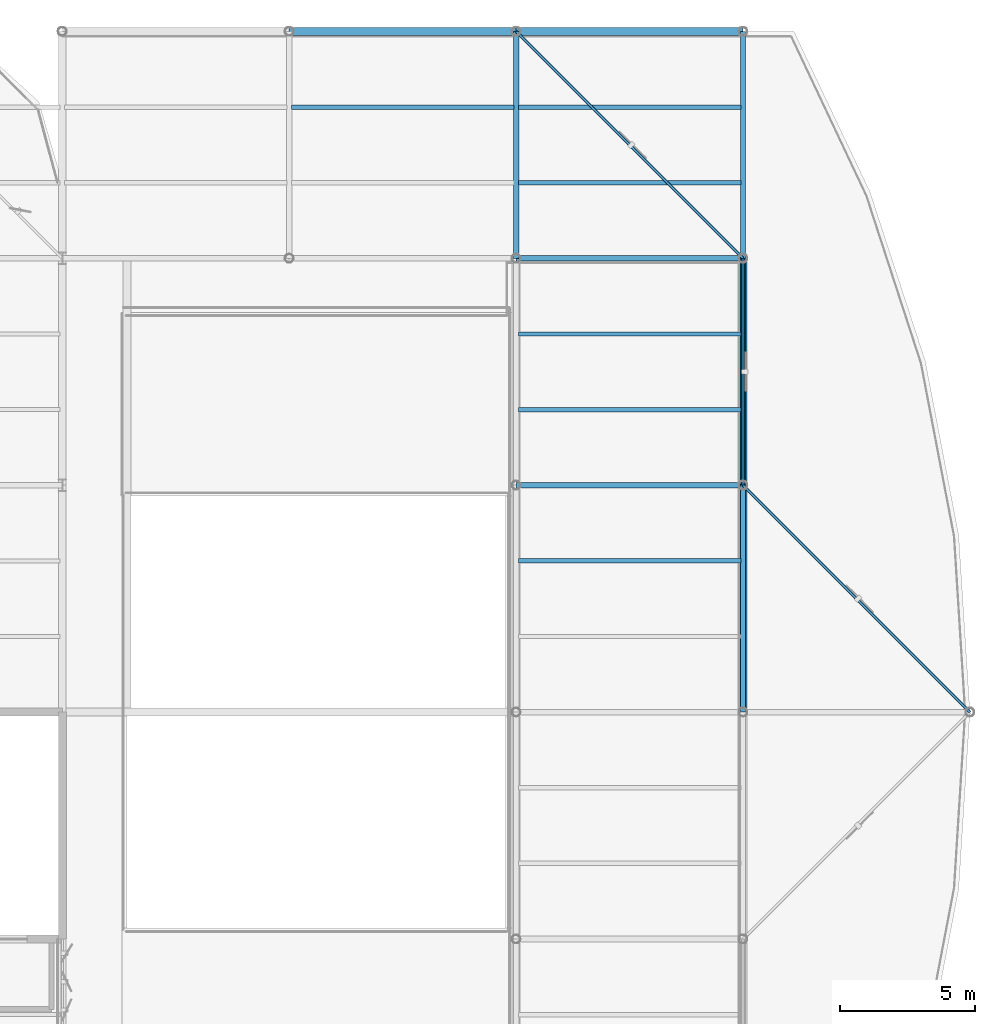
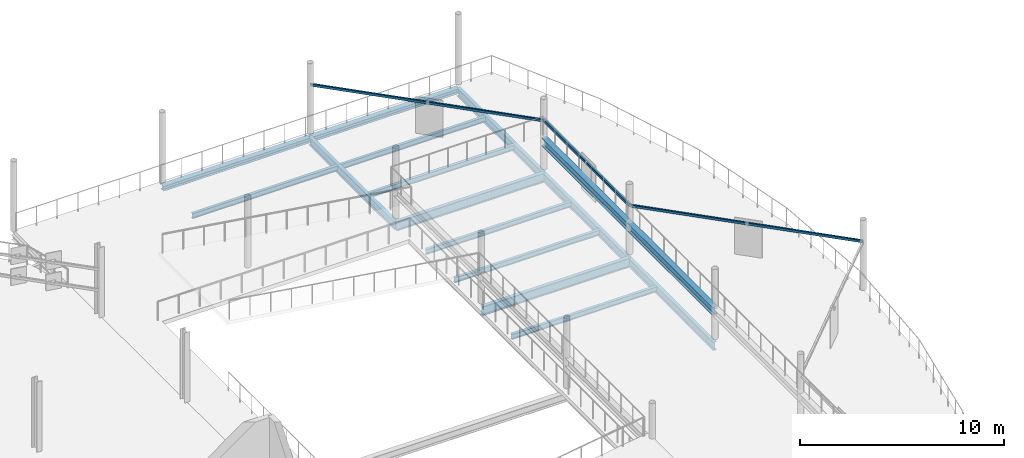
# One storey, part 35 of 69: 19 beams.
"""IFC4 building model written with IfcOpenShell, lengths in metres."""

from ifc_helpers import new_model, si_unit, direction, frame, origin, origin_2d, place, context, subcontext, project, spatial, hollow_rectangle, i_section, extrude, material, material_profile, profile_set, type_object, element, save


model = new_model("IFC4")

# Units and contexts
model_context = context("Model", 3, precision=1e-05, world=origin(), true_north=direction((0.0, 1.0)))
body_context = subcontext(model_context, "Body", "Model", "MODEL_VIEW")
ifc_project = project(units=[si_unit("LENGTHUNIT", "METRE"), si_unit("AREAUNIT", "SQUARE_METRE"), si_unit("VOLUMEUNIT", "CUBIC_METRE"), si_unit("PLANEANGLEUNIT", "RADIAN"), si_unit("MASSUNIT", "GRAM", prefix="KILO")], contexts=[model_context])

# Site, building, storey
site_placement = place(None, origin())
site = spatial("IfcSite", under=ifc_project, at=site_placement, CompositionType="ELEMENT")
building_placement = place(site_placement, origin())
building = spatial("IfcBuilding", under=site, at=building_placement, Name="Qalvenar Corner Mobility Hub", CompositionType="ELEMENT")
storey_placement = place(building_placement, frame((0.0, 0.0, 13.199951171875)))
storey = spatial("IfcBuildingStorey", under=building, at=storey_placement, Name="L03", CompositionType="ELEMENT", Elevation=13.199951171875)

# Beams
ifc_material = material(Name="Steel S355", Category="steel")
ifc_material_profile_1 = material_profile(ifc_material, i_section(OverallWidth=0.300048828125, OverallDepth=0.489990234375, WebThickness=0.011962890625, FlangeThickness=0.02294921875, FilletRadius=0.027099609375, at=origin_2d()), Name="HEA500")
ifc_profile_set_1 = profile_set([ifc_material_profile_1], Name="Steel S355")
beam_type_1 = type_object("IfcBeamType", Name="BM-HEA500", PredefinedType="BEAM", material=ifc_profile_set_1)
beam_1_placement = place(storey_placement, frame((168.0, 92.39990234375, 1.635009765625), z_axis=(0.0, 1.0, 0.0), x_axis=(-1.0, 0.0, 0.0)))
element("IfcBeam", 1, at=beam_1_placement, inside=storey, type_object=beam_type_1, Name="Ramp Mid-Landing Girder L03-168-92", PredefinedType="BEAM", context=body_context, shape_type="SweptSolid", body=[
    extrude(i_section(OverallWidth=0.300048828125, OverallDepth=0.489990234375, WebThickness=0.011962890625, FlangeThickness=0.02294921875, FilletRadius=0.027099609375, at=origin_2d()), origin(), (0.0, 0.0, 1.0), 8.400146484375),
])
beam_2_placement = place(storey_placement, frame((168.0, 100.800048828125, 1.635009765625), z_axis=(0.0, 1.0, 0.0), x_axis=(-1.0, 0.0, 0.0)))
element("IfcBeam", 2, at=beam_2_placement, inside=storey, type_object=beam_type_1, Name="Ramp Mid-Landing Girder L03-168-100", PredefinedType="BEAM", context=body_context, shape_type="SweptSolid", body=[
    extrude(i_section(OverallWidth=0.300048828125, OverallDepth=0.489990234375, WebThickness=0.011962890625, FlangeThickness=0.02294921875, FilletRadius=0.027099609375, at=origin_2d()), origin(), (0.0, 0.0, 1.0), 8.39990234375),
])
ifc_material_profile_2 = material_profile(ifc_material, i_section(OverallWidth=0.199951171875, OverallDepth=0.5, WebThickness=0.01025390625, FlangeThickness=0.01611328125, FilletRadius=0.02099609375, at=origin_2d()), Name="IPE500")
ifc_profile_set_2 = profile_set([ifc_material_profile_2], Name="Steel S355")
beam_type_2 = type_object("IfcBeamType", Name="BM-IPE500", PredefinedType="BEAM", material=ifc_profile_set_2)
for number, where, z_axis, x_axis, name in (
    (3, (159.60009765625, 109.199951171875, -0.489990234375), (0.0, 1.0, 0.0), (-1.0, 0.0, 0.0), "Primary Steel Girder GY-2560"),
    (4, (168.0, 92.39990234375, -0.489990234375), (0.0, 1.0, 0.0), (-1.0, 0.0, 0.0), "Primary Steel Girder GY-2564"),
):
    element("IfcBeam", number, at=place(storey_placement, frame(where, z_axis=z_axis, x_axis=x_axis)), inside=storey, type_object=beam_type_2, Name=name, PredefinedType="BEAM", context=body_context, shape_type="SweptSolid", body=[
        extrude(i_section(OverallWidth=0.199951171875, OverallDepth=0.5, WebThickness=0.01025390625, FlangeThickness=0.01611328125, FilletRadius=0.02099609375, at=origin_2d()), origin(), (0.0, 0.0, 1.0), 8.400146484375),
    ])
beam_3_placement = place(storey_placement, frame((168.0, 100.800048828125, -0.489990234375), z_axis=(0.0, 1.0, 0.0), x_axis=(-1.0, 0.0, 0.0)))
element("IfcBeam", 5, at=beam_3_placement, inside=storey, type_object=beam_type_2, Name="Primary Steel Girder GY-2565", PredefinedType="BEAM", context=body_context, shape_type="SweptSolid", body=[
    extrude(i_section(OverallWidth=0.199951171875, OverallDepth=0.5, WebThickness=0.01025390625, FlangeThickness=0.01611328125, FilletRadius=0.02099609375, at=origin_2d()), origin(), (0.0, 0.0, 1.0), 8.39990234375),
])
beam_4_placement = place(storey_placement, frame((168.0, 109.199951171875, -0.489990234375), z_axis=(0.0, 1.0, 0.0), x_axis=(-1.0, 0.0, 0.0)))
element("IfcBeam", 6, at=beam_4_placement, inside=storey, type_object=beam_type_2, Name="Primary Steel Girder GY-2566", PredefinedType="BEAM", context=body_context, shape_type="SweptSolid", body=[
    extrude(i_section(OverallWidth=0.199951171875, OverallDepth=0.5, WebThickness=0.01025390625, FlangeThickness=0.01611328125, FilletRadius=0.02099609375, at=origin_2d()), origin(), (0.0, 0.0, 1.0), 8.400146484375),
])
ifc_material_profile_3 = material_profile(ifc_material, i_section(OverallWidth=0.2099609375, OverallDepth=0.550048828125, WebThickness=0.010986328125, FlangeThickness=0.01708984375, FilletRadius=0.02392578125, at=origin_2d()), Name="IPE550")
ifc_profile_set_3 = profile_set([ifc_material_profile_3], Name="Steel S355")
beam_type_3 = type_object("IfcBeamType", Name="BM-IPE550", PredefinedType="BEAM", material=ifc_profile_set_3)
for number, where, z_axis, x_axis, name in (
    (7, (159.60009765625, 100.800048828125, -0.514892578125), (1.0, 0.0, 0.0), (0.0, 1.0, 0.0), "Primary Steel Girder GX-2544"),
    (8, (159.60009765625, 109.199951171875, -0.514892578125), (1.0, 0.0, 0.0), (0.0, 1.0, 0.0), "Primary Steel Girder GX-2547"),
):
    element("IfcBeam", number, at=place(storey_placement, frame(where, z_axis=z_axis, x_axis=x_axis)), inside=storey, type_object=beam_type_3, Name=name, PredefinedType="BEAM", context=body_context, shape_type="SweptSolid", body=[
        extrude(i_section(OverallWidth=0.2099609375, OverallDepth=0.550048828125, WebThickness=0.010986328125, FlangeThickness=0.01708984375, FilletRadius=0.02392578125, at=origin_2d()), origin(), (0.0, 0.0, 1.0), 8.39990234375),
    ])
ifc_material_profile_4 = material_profile(ifc_material, i_section(OverallWidth=0.1650390625, OverallDepth=0.31005859375, WebThickness=0.005859375, FlangeThickness=0.009765625, FilletRadius=0.011962890625, at=origin_2d()), Name="W310x38.7")
ifc_profile_set_4 = profile_set([ifc_material_profile_4], Name="Steel S355")
beam_type_4 = type_object("IfcBeamType", Name="BM-JST310", PredefinedType="JOIST", material=ifc_profile_set_4)
beam_5_placement = place(storey_placement, frame((151.278076171875, 114.800048828125, -0.39501953125), z_axis=(1.0, 0.0, 0.0), x_axis=(0.0, 1.0, 0.0)))
element("IfcBeam", 9, at=beam_5_placement, inside=storey, type_object=beam_type_4, Name="Composite Floor Joist J-2578", PredefinedType="JOIST", context=body_context, shape_type="SweptSolid", body=[
    extrude(i_section(OverallWidth=0.1650390625, OverallDepth=0.31005859375, WebThickness=0.005859375, FlangeThickness=0.009765625, FilletRadius=0.011962890625, at=origin_2d()), origin(), (0.0, 0.0, 1.0), 8.243896484375),
])
for number, where, z_axis, x_axis, name in (
    (10, (159.677978515625, 98.0, -0.39501953125), (1.0, 0.0, 0.0), (0.0, 1.0, 0.0), "Composite Floor Joist J-2586"),
    (11, (159.677978515625, 103.60009765625, -0.39501953125), (1.0, 0.0, 0.0), (0.0, 1.0, 0.0), "Composite Floor Joist J-2587"),
    (12, (159.677978515625, 106.39990234375, -0.39501953125), (1.0, 0.0, 0.0), (0.0, 1.0, 0.0), "Composite Floor Joist J-2588"),
    (13, (159.677978515625, 112.0, -0.39501953125), (1.0, 0.0, 0.0), (0.0, 1.0, 0.0), "Composite Floor Joist J-2589"),
    (14, (159.677978515625, 114.800048828125, -0.39501953125), (1.0, 0.0, 0.0), (0.0, 1.0, 0.0), "Composite Floor Joist J-2590"),
):
    element("IfcBeam", number, at=place(storey_placement, frame(where, z_axis=z_axis, x_axis=x_axis)), inside=storey, type_object=beam_type_4, Name=name, PredefinedType="JOIST", context=body_context, shape_type="SweptSolid", body=[
        extrude(i_section(OverallWidth=0.1650390625, OverallDepth=0.31005859375, WebThickness=0.005859375, FlangeThickness=0.009765625, FilletRadius=0.011962890625, at=origin_2d()), origin(), (0.0, 0.0, 1.0), 8.244140625),
    ])
ifc_material_profile_5 = material_profile(ifc_material, i_section(OverallWidth=0.300048828125, OverallDepth=0.2900390625, WebThickness=0.008544921875, FlangeThickness=0.013916015625, FilletRadius=0.027099609375, at=origin_2d()), Name="HEA300")
ifc_profile_set_5 = profile_set([ifc_material_profile_5], Name="Steel S355")
beam_type_5 = type_object("IfcBeamType", Name="BM-SPN300", PredefinedType="SPANDREL", material=ifc_profile_set_5)
beam_6_placement = place(storey_placement, frame((151.199951171875, 117.60009765625, -0.385009765625), z_axis=(1.0, 0.0, 0.0), x_axis=(0.0, 1.0, 0.0)))
element("IfcBeam", 15, at=beam_6_placement, inside=storey, type_object=beam_type_5, Name="Primary Steel Girder GX-2549", PredefinedType="SPANDREL", context=body_context, shape_type="SweptSolid", body=[
    extrude(i_section(OverallWidth=0.300048828125, OverallDepth=0.2900390625, WebThickness=0.008544921875, FlangeThickness=0.013916015625, FilletRadius=0.027099609375, at=origin_2d()), origin(), (0.0, 0.0, 1.0), 8.400146484375),
])
beam_7_placement = place(storey_placement, frame((159.60009765625, 117.60009765625, -0.385009765625), z_axis=(1.0, 0.0, 0.0), x_axis=(0.0, 1.0, 0.0)))
element("IfcBeam", 16, at=beam_7_placement, inside=storey, type_object=beam_type_5, Name="Primary Steel Girder GX-2550", PredefinedType="SPANDREL", context=body_context, shape_type="SweptSolid", body=[
    extrude(i_section(OverallWidth=0.300048828125, OverallDepth=0.2900390625, WebThickness=0.008544921875, FlangeThickness=0.013916015625, FilletRadius=0.027099609375, at=origin_2d()), origin(), (0.0, 0.0, 1.0), 8.39990234375),
])
ifc_material_profile_6 = material_profile(ifc_material, hollow_rectangle(XDim=0.10009765625, YDim=0.14990234375, WallThickness=0.00634765625, InnerFilletRadius=0.00634765625, OuterFilletRadius=0.0126953125, at=origin_2d()), Name="RHS150x100x6.3")
ifc_profile_set_6 = profile_set([ifc_material_profile_6], Name="Steel S355")
beam_type_6 = type_object("IfcBeamType", Name="FR-RAIL150", PredefinedType="SPANDREL", material=ifc_profile_set_6)
beam_8_placement = place(storey_placement, frame((176.39990234375, 92.39990234375, 2.85009765625), z_axis=(-0.707096505339, 0.707117056885, 0.0), x_axis=(-0.707117056885, -0.707096505339, 0.0)))
element("IfcBeam", 17, at=beam_8_placement, inside=storey, type_object=beam_type_6, Name="Rotunda Screen Rail V2-L03-4", PredefinedType="SPANDREL", context=body_context, shape_type="SweptSolid", body=[
    extrude(hollow_rectangle(XDim=0.10009765625, YDim=0.14990234375, WallThickness=0.00634765625, InnerFilletRadius=0.00634765625, OuterFilletRadius=0.0126953125, at=origin_2d()), origin(), (0.0, 0.0, 1.0), 11.87939453125),
])
beam_9_placement = place(storey_placement, frame((168.0, 100.800048828125, 2.85009765625), z_axis=(0.0, 1.0, 0.0), x_axis=(-1.0, 0.0, 0.0)))
element("IfcBeam", 18, at=beam_9_placement, inside=storey, type_object=beam_type_6, Name="Rotunda Screen Rail V2-L03-5", PredefinedType="SPANDREL", context=body_context, shape_type="SweptSolid", body=[
    extrude(hollow_rectangle(XDim=0.10009765625, YDim=0.14990234375, WallThickness=0.00634765625, InnerFilletRadius=0.00634765625, OuterFilletRadius=0.0126953125, at=origin_2d()), origin(), (0.0, 0.0, 1.0), 8.39990234375),
])
beam_10_placement = place(storey_placement, frame((168.0, 109.199951171875, 2.85009765625), z_axis=(-0.707096505339, 0.707117056885, 0.0), x_axis=(-0.707117056885, -0.707096505339, 0.0)))
element("IfcBeam", 19, at=beam_10_placement, inside=storey, type_object=beam_type_6, Name="Rotunda Screen Rail V2-L03-6", PredefinedType="SPANDREL", context=body_context, shape_type="SweptSolid", body=[
    extrude(hollow_rectangle(XDim=0.10009765625, YDim=0.14990234375, WallThickness=0.00634765625, InnerFilletRadius=0.00634765625, OuterFilletRadius=0.0126953125, at=origin_2d()), origin(), (0.0, 0.0, 1.0), 11.87939453125),
])

save(model, "model.ifc")
